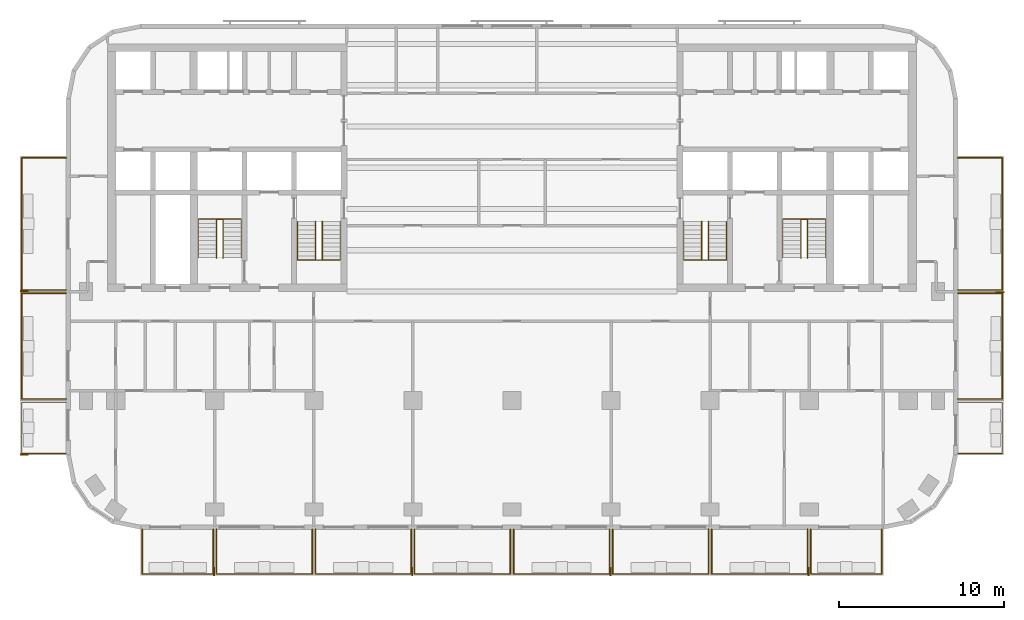
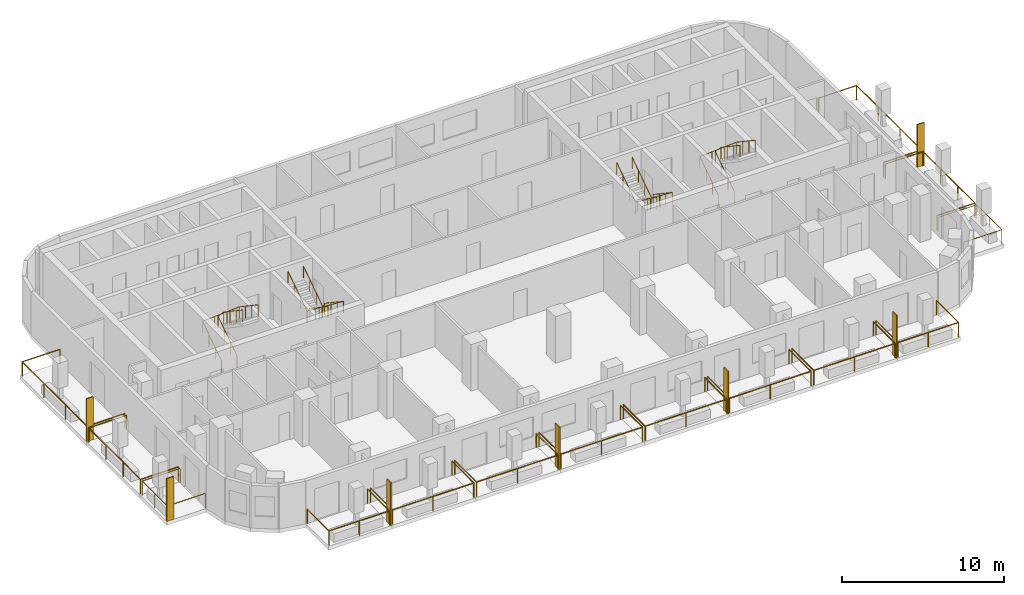
# One storey, part 9 of 11: 22 railings, 7 shading devices.
"""IFC4 building model written with IfcOpenShell, lengths in metres."""

from ifc_helpers import new_model, si_unit, direction, frame, origin, origin_2d, place, context, subcontext, project, spatial, rectangle, circle, extrude, material, layer, layer_set, type_object, element, save


model = new_model("IFC4")

# Units and contexts
model_context = context("Model", 3, precision=1e-05, world=origin(), true_north=direction((0.0, 1.0)))
body_context = subcontext(model_context, "Body", "Model", "MODEL_VIEW")
ifc_project = project(units=[si_unit("LENGTHUNIT", "METRE"), si_unit("AREAUNIT", "SQUARE_METRE"), si_unit("VOLUMEUNIT", "CUBIC_METRE"), si_unit("PLANEANGLEUNIT", "RADIAN"), si_unit("MASSUNIT", "GRAM", prefix="KILO")], contexts=[model_context])

# Site, building, storey
site_placement = place(None, origin())
site = spatial("IfcSite", under=ifc_project, at=site_placement, CompositionType="ELEMENT")
building_placement = place(site_placement, origin())
building = spatial("IfcBuilding", under=site, at=building_placement, Name="Torana Hotel and Residences", CompositionType="ELEMENT")
storey_placement = place(building_placement, frame((0.0, 0.0, 215.10009765625)))
storey = spatial("IfcBuildingStorey", under=building, at=storey_placement, Name="L56", CompositionType="ELEMENT", Elevation=215.10009765625)

# Shading devices
ifc_material_1 = material(Name="Black powder coated aluminium", Category="aluminium")
ifc_layer = layer(ifc_material_1, 0.080078125)
ifc_layer_set = layer_set([ifc_layer], Name="FN1 VERTICAL FIN 500x80")
shading_device_type = type_object("IfcShadingDeviceType", Name="FN1 VERTICAL FIN 500x80", PredefinedType="USERDEFINED", material=ifc_layer_set)
for number, where, z_axis, x_axis, name in (
    (1, (-18.0400390625, -31.949951171875, 0.0), (0.0, 0.0, 1.0), (-1.0, 0.0, 0.0), "Fin 01"),
    (2, (-6.0400390625, -31.949951171875, 0.0), (0.0, 0.0, 1.0), (-1.0, 0.0, 0.0), "Fin 03"),
    (3, (5.9599609375, -31.949951171875, 0.0), (0.0, 0.0, 1.0), (-1.0, 0.0, 0.0), "Fin 05"),
    (4, (17.9599609375, -31.949951171875, 0.0), (0.0, 0.0, 1.0), (-1.0, 0.0, 0.0), "Fin 07"),
    (5, (-29.550048828125, -24.860107421875, 0.0), (0.0, 0.0, 1.0), (0.0, 1.0, 0.0), "Fin 09"),
    (6, (-29.550048828125, -14.9599609375, 0.0), (0.0, 0.0, 1.0), (0.0, 1.0, 0.0), "Fin 11"),
    (7, (29.550048828125, -15.0400390625, 0.0), (0.0, 0.0, 1.0), (0.0, -1.0, 0.0), "Fin 13"),
):
    element("IfcShadingDevice", number, at=place(storey_placement, frame(where, z_axis=z_axis, x_axis=x_axis)), inside=storey, type_object=shading_device_type, Name=name, ObjectType="FIN", PredefinedType="USERDEFINED", context=body_context, shape_type="SweptSolid", body=[
        extrude(rectangle(XDim=0.080078125, YDim=0.5, at=origin_2d()), origin(), (0.0, 0.0, 1.0), 3.219970703125),
    ])

# Railings
ifc_material_2 = material(Name="Laminated glass balustrade with black handrail", Category="glass")
railing_type_1 = type_object("IfcRailingType", Name="GR1 BALCONY GUARD 1100 GLASS", PredefinedType="GUARDRAIL", material=ifc_material_2)
railing_1_placement = place(storey_placement, frame((-18.10009765625, -29.39990234375, 0.0)))
element("IfcRailing", 8, at=railing_1_placement, inside=storey, type_object=railing_type_1, Name="Balcony guard 01", PredefinedType="GUARDRAIL", context=body_context, shape_type="SweptSolid", body=[
    extrude(circle(Radius=0.02392578125, at=origin_2d()), frame((0.0, 0.0, 1.076171875), z_axis=(0.0, -1.0, 0.0), x_axis=(1.0, 0.0, 0.0)), (0.0, 0.0, 1.0), 2.7001953125),
    extrude(circle(Radius=0.02392578125, at=origin_2d()), frame((0.0, -2.7001953125, 1.076171875), z_axis=(-1.0, 0.0, 0.0), x_axis=(0.0, -1.0, 0.0)), (0.0, 0.0, 1.0), 4.2998046875),
    extrude(circle(Radius=0.02392578125, at=origin_2d()), frame((-4.2998046875, -2.7001953125, 1.076171875), z_axis=(0.0, 1.0, 0.0), x_axis=(-1.0, 0.0, 0.0)), (0.0, 0.0, 1.0), 2.7001953125),
    extrude(circle(Radius=0.02099609375, at=origin_2d()), origin(), (0.0, 0.0, 1.0), 1.052001953125),
    extrude(circle(Radius=0.02099609375, at=origin_2d()), frame((0.0, -2.7001953125, 0.0)), (0.0, 0.0, 1.0), 1.052001953125),
    extrude(circle(Radius=0.02099609375, at=origin_2d()), frame((-2.14990234375, -2.7001953125, 0.0)), (0.0, 0.0, 1.0), 1.052001953125),
    extrude(circle(Radius=0.02099609375, at=origin_2d()), frame((-4.2998046875, -2.7001953125, 0.0)), (0.0, 0.0, 1.0), 1.052001953125),
    extrude(circle(Radius=0.02099609375, at=origin_2d()), frame((-4.2998046875, 0.0, 0.0)), (0.0, 0.0, 1.0), 1.052001953125),
])
for number, where, name in (
    (9, (-12.10009765625, -29.39990234375, 0.0), "Balcony guard 02"),
    (10, (-6.10009765625, -29.39990234375, 0.0), "Balcony guard 03"),
    (11, (-0.10009765625, -29.39990234375, 0.0), "Balcony guard 04"),
    (12, (5.89990234375, -29.39990234375, 0.0), "Balcony guard 05"),
    (13, (11.89990234375, -29.39990234375, 0.0), "Balcony guard 06"),
    (14, (17.89990234375, -29.39990234375, 0.0), "Balcony guard 07"),
):
    element("IfcRailing", number, at=place(storey_placement, frame(where)), inside=storey, type_object=railing_type_1, Name=name, PredefinedType="GUARDRAIL", context=body_context, shape_type="SweptSolid", body=[
        extrude(circle(Radius=0.02392578125, at=origin_2d()), frame((0.0, 0.0, 1.076171875), z_axis=(0.0, -1.0, 0.0), x_axis=(1.0, 0.0, 0.0)), (0.0, 0.0, 1.0), 2.7001953125),
        extrude(circle(Radius=0.02392578125, at=origin_2d()), frame((0.0, -2.7001953125, 1.076171875), z_axis=(-1.0, 0.0, 0.0), x_axis=(0.0, -1.0, 0.0)), (0.0, 0.0, 1.0), 5.7998046875),
        extrude(circle(Radius=0.02392578125, at=origin_2d()), frame((-5.7998046875, -2.7001953125, 1.076171875), z_axis=(0.0, 1.0, 0.0), x_axis=(-1.0, 0.0, 0.0)), (0.0, 0.0, 1.0), 2.7001953125),
        extrude(circle(Radius=0.02099609375, at=origin_2d()), origin(), (0.0, 0.0, 1.0), 1.052001953125),
        extrude(circle(Radius=0.02099609375, at=origin_2d()), frame((0.0, -2.7001953125, 0.0)), (0.0, 0.0, 1.0), 1.052001953125),
        extrude(circle(Radius=0.02099609375, at=origin_2d()), frame((-2.89990234375, -2.7001953125, 0.0)), (0.0, 0.0, 1.0), 1.052001953125),
        extrude(circle(Radius=0.02099609375, at=origin_2d()), frame((-5.7998046875, -2.7001953125, 0.0)), (0.0, 0.0, 1.0), 1.052001953125),
        extrude(circle(Radius=0.02099609375, at=origin_2d()), frame((-5.7998046875, 0.0, 0.0)), (0.0, 0.0, 1.0), 1.052001953125),
    ])
railing_2_placement = place(storey_placement, frame((22.39990234375, -29.39990234375, 0.0)))
element("IfcRailing", 15, at=railing_2_placement, inside=storey, type_object=railing_type_1, Name="Balcony guard 08", PredefinedType="GUARDRAIL", context=body_context, shape_type="SweptSolid", body=[
    extrude(circle(Radius=0.02392578125, at=origin_2d()), frame((0.0, 0.0, 1.076171875), z_axis=(0.0, -1.0, 0.0), x_axis=(1.0, 0.0, 0.0)), (0.0, 0.0, 1.0), 2.7001953125),
    extrude(circle(Radius=0.02392578125, at=origin_2d()), frame((0.0, -2.7001953125, 1.076171875), z_axis=(-1.0, 0.0, 0.0), x_axis=(0.0, -1.0, 0.0)), (0.0, 0.0, 1.0), 4.2998046875),
    extrude(circle(Radius=0.02392578125, at=origin_2d()), frame((-4.2998046875, -2.7001953125, 1.076171875), z_axis=(0.0, 1.0, 0.0), x_axis=(-1.0, 0.0, 0.0)), (0.0, 0.0, 1.0), 2.7001953125),
    extrude(circle(Radius=0.02099609375, at=origin_2d()), origin(), (0.0, 0.0, 1.0), 1.052001953125),
    extrude(circle(Radius=0.02099609375, at=origin_2d()), frame((0.0, -2.7001953125, 0.0)), (0.0, 0.0, 1.0), 1.052001953125),
    extrude(circle(Radius=0.02099609375, at=origin_2d()), frame((-2.14990234375, -2.7001953125, 0.0)), (0.0, 0.0, 1.0), 1.052001953125),
    extrude(circle(Radius=0.02099609375, at=origin_2d()), frame((-4.2998046875, -2.7001953125, 0.0)), (0.0, 0.0, 1.0), 1.052001953125),
    extrude(circle(Radius=0.02099609375, at=origin_2d()), frame((-4.2998046875, 0.0, 0.0)), (0.0, 0.0, 1.0), 1.052001953125),
])
railing_3_placement = place(storey_placement, frame((-27.0, -24.800048828125, 0.0)))
element("IfcRailing", 16, at=railing_3_placement, inside=storey, type_object=railing_type_1, Name="Balcony guard 09", PredefinedType="GUARDRAIL", context=body_context, shape_type="SweptSolid", body=[
    extrude(circle(Radius=0.02392578125, at=origin_2d()), frame((0.0, 0.0, 1.076171875), z_axis=(-1.0, 0.0, 0.0), x_axis=(0.0, -1.0, 0.0)), (0.0, 0.0, 1.0), 2.699951171875),
    extrude(circle(Radius=0.02392578125, at=origin_2d()), frame((-2.699951171875, 0.0, 1.076171875), z_axis=(0.0, 1.0, 0.0), x_axis=(-1.0, 0.0, 0.0)), (0.0, 0.0, 1.0), 3.10009765625),
    extrude(circle(Radius=0.02392578125, at=origin_2d()), frame((-2.699951171875, 3.10009765625, 1.076171875), z_axis=(1.0, 0.0, 0.0), x_axis=(0.0, 1.0, 0.0)), (0.0, 0.0, 1.0), 2.699951171875),
    extrude(circle(Radius=0.02099609375, at=origin_2d()), origin(), (0.0, 0.0, 1.0), 1.052001953125),
    extrude(circle(Radius=0.02099609375, at=origin_2d()), frame((-2.699951171875, 0.0, 0.0)), (0.0, 0.0, 1.0), 1.052001953125),
    extrude(circle(Radius=0.02099609375, at=origin_2d()), frame((-2.699951171875, 1.550048828125, 0.0)), (0.0, 0.0, 1.0), 1.052001953125),
    extrude(circle(Radius=0.02099609375, at=origin_2d()), frame((-2.699951171875, 3.10009765625, 0.0)), (0.0, 0.0, 1.0), 1.052001953125),
    extrude(circle(Radius=0.02099609375, at=origin_2d()), frame((0.0, 3.10009765625, 0.0)), (0.0, 0.0, 1.0), 1.052001953125),
])
railing_4_placement = place(storey_placement, frame((-27.0, -21.5, 0.0)))
element("IfcRailing", 17, at=railing_4_placement, inside=storey, type_object=railing_type_1, Name="Balcony guard 10", PredefinedType="GUARDRAIL", context=body_context, shape_type="SweptSolid", body=[
    extrude(circle(Radius=0.02392578125, at=origin_2d()), frame((0.0, 0.0, 1.076171875), z_axis=(-1.0, 0.0, 0.0), x_axis=(0.0, -1.0, 0.0)), (0.0, 0.0, 1.0), 2.699951171875),
    extrude(circle(Radius=0.02392578125, at=origin_2d()), frame((-2.699951171875, 0.0, 1.076171875), z_axis=(0.0, 1.0, 0.0), x_axis=(-1.0, 0.0, 0.0)), (0.0, 0.0, 1.0), 6.39990234375),
    extrude(circle(Radius=0.02392578125, at=origin_2d()), frame((-2.699951171875, 6.39990234375, 1.076171875), z_axis=(1.0, 0.0, 0.0), x_axis=(0.0, 1.0, 0.0)), (0.0, 0.0, 1.0), 2.699951171875),
    extrude(circle(Radius=0.02099609375, at=origin_2d()), origin(), (0.0, 0.0, 1.0), 1.052001953125),
    extrude(circle(Radius=0.02099609375, at=origin_2d()), frame((-2.699951171875, 0.0, 0.0)), (0.0, 0.0, 1.0), 1.052001953125),
    extrude(circle(Radius=0.02099609375, at=origin_2d()), frame((-2.699951171875, 2.13330078125, 0.0)), (0.0, 0.0, 1.0), 1.052001953125),
    extrude(circle(Radius=0.02099609375, at=origin_2d()), frame((-2.699951171875, 4.2666015625, 0.0)), (0.0, 0.0, 1.0), 1.052001953125),
    extrude(circle(Radius=0.02099609375, at=origin_2d()), frame((-2.699951171875, 6.39990234375, 0.0)), (0.0, 0.0, 1.0), 1.052001953125),
    extrude(circle(Radius=0.02099609375, at=origin_2d()), frame((0.0, 6.39990234375, 0.0)), (0.0, 0.0, 1.0), 1.052001953125),
])
railing_5_placement = place(storey_placement, frame((-27.0, -14.89990234375, 0.0)))
element("IfcRailing", 18, at=railing_5_placement, inside=storey, type_object=railing_type_1, Name="Balcony guard 11", PredefinedType="GUARDRAIL", context=body_context, shape_type="SweptSolid", body=[
    extrude(circle(Radius=0.02392578125, at=origin_2d()), frame((0.0, 0.0, 1.076171875), z_axis=(-1.0, 0.0, 0.0), x_axis=(0.0, -1.0, 0.0)), (0.0, 0.0, 1.0), 2.699951171875),
    extrude(circle(Radius=0.02392578125, at=origin_2d()), frame((-2.699951171875, 0.0, 1.076171875), z_axis=(0.0, 1.0, 0.0), x_axis=(-1.0, 0.0, 0.0)), (0.0, 0.0, 1.0), 8.0),
    extrude(circle(Radius=0.02392578125, at=origin_2d()), frame((-2.699951171875, 8.0, 1.076171875), z_axis=(1.0, 0.0, 0.0), x_axis=(0.0, 1.0, 0.0)), (0.0, 0.0, 1.0), 2.699951171875),
    extrude(circle(Radius=0.02099609375, at=origin_2d()), origin(), (0.0, 0.0, 1.0), 1.052001953125),
    extrude(circle(Radius=0.02099609375, at=origin_2d()), frame((-2.699951171875, 0.0, 0.0)), (0.0, 0.0, 1.0), 1.052001953125),
    extrude(circle(Radius=0.02099609375, at=origin_2d()), frame((-2.699951171875, 2.666748046875, 0.0)), (0.0, 0.0, 1.0), 1.052001953125),
    extrude(circle(Radius=0.02099609375, at=origin_2d()), frame((-2.699951171875, 5.333251953125, 0.0)), (0.0, 0.0, 1.0), 1.052001953125),
    extrude(circle(Radius=0.02099609375, at=origin_2d()), frame((-2.699951171875, 8.0, 0.0)), (0.0, 0.0, 1.0), 1.052001953125),
    extrude(circle(Radius=0.02099609375, at=origin_2d()), frame((0.0, 8.0, 0.0)), (0.0, 0.0, 1.0), 1.052001953125),
])
railing_6_placement = place(storey_placement, frame((27.0, -21.699951171875, 0.0)))
element("IfcRailing", 19, at=railing_6_placement, inside=storey, type_object=railing_type_1, Name="Balcony guard 12", PredefinedType="GUARDRAIL", context=body_context, shape_type="SweptSolid", body=[
    extrude(circle(Radius=0.02392578125, at=origin_2d()), frame((0.0, 0.0, 1.076171875), z_axis=(1.0, 0.0, 0.0), x_axis=(0.0, 1.0, 0.0)), (0.0, 0.0, 1.0), 2.699951171875),
    extrude(circle(Radius=0.02392578125, at=origin_2d()), frame((2.699951171875, 0.0, 1.076171875), z_axis=(0.0, -1.0, 0.0), x_axis=(1.0, 0.0, 0.0)), (0.0, 0.0, 1.0), 3.10009765625),
    extrude(circle(Radius=0.02392578125, at=origin_2d()), frame((2.699951171875, -3.10009765625, 1.076171875), z_axis=(-1.0, 0.0, 0.0), x_axis=(0.0, -1.0, 0.0)), (0.0, 0.0, 1.0), 2.699951171875),
    extrude(circle(Radius=0.02099609375, at=origin_2d()), origin(), (0.0, 0.0, 1.0), 1.052001953125),
    extrude(circle(Radius=0.02099609375, at=origin_2d()), frame((2.699951171875, 0.0, 0.0)), (0.0, 0.0, 1.0), 1.052001953125),
    extrude(circle(Radius=0.02099609375, at=origin_2d()), frame((2.699951171875, -1.550048828125, 0.0)), (0.0, 0.0, 1.0), 1.052001953125),
    extrude(circle(Radius=0.02099609375, at=origin_2d()), frame((2.699951171875, -3.10009765625, 0.0)), (0.0, 0.0, 1.0), 1.052001953125),
    extrude(circle(Radius=0.02099609375, at=origin_2d()), frame((0.0, -3.10009765625, 0.0)), (0.0, 0.0, 1.0), 1.052001953125),
])
railing_7_placement = place(storey_placement, frame((27.0, -15.10009765625, 0.0)))
element("IfcRailing", 20, at=railing_7_placement, inside=storey, type_object=railing_type_1, Name="Balcony guard 13", PredefinedType="GUARDRAIL", context=body_context, shape_type="SweptSolid", body=[
    extrude(circle(Radius=0.02392578125, at=origin_2d()), frame((0.0, 0.0, 1.076171875), z_axis=(1.0, 0.0, 0.0), x_axis=(0.0, 1.0, 0.0)), (0.0, 0.0, 1.0), 2.699951171875),
    extrude(circle(Radius=0.02392578125, at=origin_2d()), frame((2.699951171875, 0.0, 1.076171875), z_axis=(0.0, -1.0, 0.0), x_axis=(1.0, 0.0, 0.0)), (0.0, 0.0, 1.0), 6.39990234375),
    extrude(circle(Radius=0.02392578125, at=origin_2d()), frame((2.699951171875, -6.39990234375, 1.076171875), z_axis=(-1.0, 0.0, 0.0), x_axis=(0.0, -1.0, 0.0)), (0.0, 0.0, 1.0), 2.699951171875),
    extrude(circle(Radius=0.02099609375, at=origin_2d()), origin(), (0.0, 0.0, 1.0), 1.052001953125),
    extrude(circle(Radius=0.02099609375, at=origin_2d()), frame((2.699951171875, 0.0, 0.0)), (0.0, 0.0, 1.0), 1.052001953125),
    extrude(circle(Radius=0.02099609375, at=origin_2d()), frame((2.699951171875, -2.13330078125, 0.0)), (0.0, 0.0, 1.0), 1.052001953125),
    extrude(circle(Radius=0.02099609375, at=origin_2d()), frame((2.699951171875, -4.2666015625, 0.0)), (0.0, 0.0, 1.0), 1.052001953125),
    extrude(circle(Radius=0.02099609375, at=origin_2d()), frame((2.699951171875, -6.39990234375, 0.0)), (0.0, 0.0, 1.0), 1.052001953125),
    extrude(circle(Radius=0.02099609375, at=origin_2d()), frame((0.0, -6.39990234375, 0.0)), (0.0, 0.0, 1.0), 1.052001953125),
])
railing_8_placement = place(storey_placement, frame((27.0, -6.89990234375, 0.0)))
element("IfcRailing", 21, at=railing_8_placement, inside=storey, type_object=railing_type_1, Name="Balcony guard 14", PredefinedType="GUARDRAIL", context=body_context, shape_type="SweptSolid", body=[
    extrude(circle(Radius=0.02392578125, at=origin_2d()), frame((0.0, 0.0, 1.076171875), z_axis=(1.0, 0.0, 0.0), x_axis=(0.0, 1.0, 0.0)), (0.0, 0.0, 1.0), 2.699951171875),
    extrude(circle(Radius=0.02392578125, at=origin_2d()), frame((2.699951171875, 0.0, 1.076171875), z_axis=(0.0, -1.0, 0.0), x_axis=(1.0, 0.0, 0.0)), (0.0, 0.0, 1.0), 8.0),
    extrude(circle(Radius=0.02392578125, at=origin_2d()), frame((2.699951171875, -8.0, 1.076171875), z_axis=(-1.0, 0.0, 0.0), x_axis=(0.0, -1.0, 0.0)), (0.0, 0.0, 1.0), 2.699951171875),
    extrude(circle(Radius=0.02099609375, at=origin_2d()), origin(), (0.0, 0.0, 1.0), 1.052001953125),
    extrude(circle(Radius=0.02099609375, at=origin_2d()), frame((2.699951171875, 0.0, 0.0)), (0.0, 0.0, 1.0), 1.052001953125),
    extrude(circle(Radius=0.02099609375, at=origin_2d()), frame((2.699951171875, -2.666748046875, 0.0)), (0.0, 0.0, 1.0), 1.052001953125),
    extrude(circle(Radius=0.02099609375, at=origin_2d()), frame((2.699951171875, -5.333251953125, 0.0)), (0.0, 0.0, 1.0), 1.052001953125),
    extrude(circle(Radius=0.02099609375, at=origin_2d()), frame((2.699951171875, -8.0, 0.0)), (0.0, 0.0, 1.0), 1.052001953125),
    extrude(circle(Radius=0.02099609375, at=origin_2d()), frame((0.0, -8.0, 0.0)), (0.0, 0.0, 1.0), 1.052001953125),
])
ifc_material_3 = material(Name="Stainless steel 316", Category="steel")
railing_type_2 = type_object("IfcRailingType", Name="STAIR HANDRAIL HR1 900", PredefinedType="HANDRAIL", material=ifc_material_3)
railing_9_placement = place(storey_placement, frame((-10.39990234375, -10.75, 0.1748046875)))
element("IfcRailing", 22, at=railing_9_placement, inside=storey, type_object=railing_type_2, Name="Handrail ST1 L56 O1", PredefinedType="HANDRAIL", context=body_context, shape_type="SweptSolid", body=[
    extrude(circle(Radius=0.02392578125, at=origin_2d()), frame((0.0, 0.0, 0.8759765625), z_axis=(0.0, -0.829565388462, 0.558409586474), x_axis=(1.0, 0.0, 0.0)), (0.0, 0.0, 1.0), 2.82080078125),
    extrude(circle(Radius=0.02392578125, at=origin_2d()), frame((0.0, -2.340087890625, 2.451171875), z_axis=(-0.997747692642, 0.0, 0.067078624219), x_axis=(0.0, -1.0, 0.0)), (0.0, 0.0, 1.0), 2.60595703125),
    extrude(circle(Radius=0.02392578125, at=origin_2d()), frame((-2.60009765625, -2.340087890625, 2.6259765625), z_axis=(0.0, 0.829565388462, 0.558409586474), x_axis=(-1.0, 0.0, 0.0)), (0.0, 0.0, 1.0), 2.82080078125),
    extrude(circle(Radius=0.02099609375, at=origin_2d()), origin(), (0.0, 0.0, 1.0), 0.851806640625),
    extrude(circle(Radius=0.02099609375, at=origin_2d()), frame((0.0, -0.780029296875, 0.525146484375)), (0.0, 0.0, 1.0), 0.851806640625),
    extrude(circle(Radius=0.02099609375, at=origin_2d()), frame((0.0, -1.56005859375, 1.050048828125)), (0.0, 0.0, 1.0), 0.851806640625),
    extrude(circle(Radius=0.02099609375, at=origin_2d()), frame((0.0, -2.340087890625, 1.5751953125)), (0.0, 0.0, 1.0), 0.851806640625),
    extrude(circle(Radius=0.02099609375, at=origin_2d()), frame((-0.86669921875, -2.340087890625, 1.633544921875)), (0.0, 0.0, 1.0), 0.851806640625),
    extrude(circle(Radius=0.02099609375, at=origin_2d()), frame((-1.7333984375, -2.340087890625, 1.691650390625)), (0.0, 0.0, 1.0), 0.851806640625),
    extrude(circle(Radius=0.02099609375, at=origin_2d()), frame((-2.60009765625, -2.340087890625, 1.75)), (0.0, 0.0, 1.0), 0.851806640625),
    extrude(circle(Radius=0.02099609375, at=origin_2d()), frame((-2.60009765625, -1.56005859375, 2.275146484375)), (0.0, 0.0, 1.0), 0.851806640625),
    extrude(circle(Radius=0.02099609375, at=origin_2d()), frame((-2.60009765625, -0.780029296875, 2.800048828125)), (0.0, 0.0, 1.0), 0.851806640625),
    extrude(circle(Radius=0.02099609375, at=origin_2d()), frame((-2.60009765625, 0.0, 3.3251953125)), (0.0, 0.0, 1.0), 0.851806640625),
])
railing_10_placement = place(storey_placement, frame((-11.5, -10.75, 0.1748046875)))
element("IfcRailing", 23, at=railing_10_placement, inside=storey, type_object=railing_type_2, Name="Handrail ST1 L56 I1", PredefinedType="HANDRAIL", context=body_context, shape_type="SweptSolid", body=[
    extrude(circle(Radius=0.02392578125, at=origin_2d()), frame((0.0, 0.0, 0.8759765625), z_axis=(0.0, -0.829565388462, 0.558409586474), x_axis=(1.0, 0.0, 0.0)), (0.0, 0.0, 1.0), 2.82080078125),
    extrude(circle(Radius=0.02392578125, at=origin_2d()), frame((0.0, -2.340087890625, 2.451171875), z_axis=(-0.916285673175, 0.0, 0.400525361412), x_axis=(0.0, -1.0, 0.0)), (0.0, 0.0, 1.0), 0.4365234375),
    extrude(circle(Radius=0.02392578125, at=origin_2d()), frame((-0.39990234375, -2.340087890625, 2.6259765625), z_axis=(0.0, 0.829565388462, 0.558409586474), x_axis=(-1.0, 0.0, 0.0)), (0.0, 0.0, 1.0), 2.82080078125),
    extrude(circle(Radius=0.02099609375, at=origin_2d()), origin(), (0.0, 0.0, 1.0), 0.851806640625),
    extrude(circle(Radius=0.02099609375, at=origin_2d()), frame((0.0, -0.780029296875, 0.525146484375)), (0.0, 0.0, 1.0), 0.851806640625),
    extrude(circle(Radius=0.02099609375, at=origin_2d()), frame((0.0, -1.56005859375, 1.050048828125)), (0.0, 0.0, 1.0), 0.851806640625),
    extrude(circle(Radius=0.02099609375, at=origin_2d()), frame((0.0, -2.340087890625, 1.5751953125)), (0.0, 0.0, 1.0), 0.851806640625),
    extrude(circle(Radius=0.02099609375, at=origin_2d()), frame((-0.39990234375, -2.340087890625, 1.75)), (0.0, 0.0, 1.0), 0.851806640625),
    extrude(circle(Radius=0.02099609375, at=origin_2d()), frame((-0.39990234375, -1.56005859375, 2.275146484375)), (0.0, 0.0, 1.0), 0.851806640625),
    extrude(circle(Radius=0.02099609375, at=origin_2d()), frame((-0.39990234375, -0.780029296875, 2.800048828125)), (0.0, 0.0, 1.0), 0.851806640625),
    extrude(circle(Radius=0.02099609375, at=origin_2d()), frame((-0.39990234375, 0.0, 3.3251953125)), (0.0, 0.0, 1.0), 0.851806640625),
])
railing_11_placement = place(storey_placement, frame((-19.0, -12.949951171875, 0.1748046875)))
element("IfcRailing", 24, at=railing_11_placement, inside=storey, type_object=railing_type_2, Name="Handrail ST2 L56 O1", PredefinedType="HANDRAIL", context=body_context, shape_type="SweptSolid", body=[
    extrude(circle(Radius=0.02392578125, at=origin_2d()), frame((0.0, 0.0, 0.8759765625), z_axis=(0.0, 0.829538397957, 0.558449681095), x_axis=(-1.0, 0.0, 0.0)), (0.0, 0.0, 1.0), 2.820556640625),
    extrude(circle(Radius=0.02392578125, at=origin_2d()), frame((0.0, 2.33984375, 2.451171875), z_axis=(0.997747692642, 0.0, 0.067078624219), x_axis=(0.0, 1.0, 0.0)), (0.0, 0.0, 1.0), 2.60595703125),
    extrude(circle(Radius=0.02392578125, at=origin_2d()), frame((2.60009765625, 2.33984375, 2.6259765625), z_axis=(0.0, -0.829538397957, 0.558449681095), x_axis=(1.0, 0.0, 0.0)), (0.0, 0.0, 1.0), 2.820556640625),
    extrude(circle(Radius=0.02099609375, at=origin_2d()), origin(), (0.0, 0.0, 1.0), 0.851806640625),
    extrude(circle(Radius=0.02099609375, at=origin_2d()), frame((0.0, 0.780029296875, 0.525146484375)), (0.0, 0.0, 1.0), 0.851806640625),
    extrude(circle(Radius=0.02099609375, at=origin_2d()), frame((0.0, 1.559814453125, 1.050048828125)), (0.0, 0.0, 1.0), 0.851806640625),
    extrude(circle(Radius=0.02099609375, at=origin_2d()), frame((0.0, 2.33984375, 1.5751953125)), (0.0, 0.0, 1.0), 0.851806640625),
    extrude(circle(Radius=0.02099609375, at=origin_2d()), frame((0.86669921875, 2.33984375, 1.633544921875)), (0.0, 0.0, 1.0), 0.851806640625),
    extrude(circle(Radius=0.02099609375, at=origin_2d()), frame((1.7333984375, 2.33984375, 1.691650390625)), (0.0, 0.0, 1.0), 0.851806640625),
    extrude(circle(Radius=0.02099609375, at=origin_2d()), frame((2.60009765625, 2.33984375, 1.75)), (0.0, 0.0, 1.0), 0.851806640625),
    extrude(circle(Radius=0.02099609375, at=origin_2d()), frame((2.60009765625, 1.559814453125, 2.275146484375)), (0.0, 0.0, 1.0), 0.851806640625),
    extrude(circle(Radius=0.02099609375, at=origin_2d()), frame((2.60009765625, 0.780029296875, 2.800048828125)), (0.0, 0.0, 1.0), 0.851806640625),
    extrude(circle(Radius=0.02099609375, at=origin_2d()), frame((2.60009765625, 0.0, 3.3251953125)), (0.0, 0.0, 1.0), 0.851806640625),
])
railing_12_placement = place(storey_placement, frame((-17.89990234375, -12.949951171875, 0.1748046875)))
element("IfcRailing", 25, at=railing_12_placement, inside=storey, type_object=railing_type_2, Name="Handrail ST2 L56 I1", PredefinedType="HANDRAIL", context=body_context, shape_type="SweptSolid", body=[
    extrude(circle(Radius=0.02392578125, at=origin_2d()), frame((0.0, 0.0, 0.8759765625), z_axis=(0.0, 0.829538397957, 0.558449681095), x_axis=(-1.0, 0.0, 0.0)), (0.0, 0.0, 1.0), 2.820556640625),
    extrude(circle(Radius=0.02392578125, at=origin_2d()), frame((0.0, 2.33984375, 2.451171875), z_axis=(0.916285673175, 0.0, 0.400525361412), x_axis=(0.0, 1.0, 0.0)), (0.0, 0.0, 1.0), 0.4365234375),
    extrude(circle(Radius=0.02392578125, at=origin_2d()), frame((0.39990234375, 2.33984375, 2.6259765625), z_axis=(0.0, -0.829538397957, 0.558449681095), x_axis=(1.0, 0.0, 0.0)), (0.0, 0.0, 1.0), 2.820556640625),
    extrude(circle(Radius=0.02099609375, at=origin_2d()), origin(), (0.0, 0.0, 1.0), 0.851806640625),
    extrude(circle(Radius=0.02099609375, at=origin_2d()), frame((0.0, 0.780029296875, 0.525146484375)), (0.0, 0.0, 1.0), 0.851806640625),
    extrude(circle(Radius=0.02099609375, at=origin_2d()), frame((0.0, 1.559814453125, 1.050048828125)), (0.0, 0.0, 1.0), 0.851806640625),
    extrude(circle(Radius=0.02099609375, at=origin_2d()), frame((0.0, 2.33984375, 1.5751953125)), (0.0, 0.0, 1.0), 0.851806640625),
    extrude(circle(Radius=0.02099609375, at=origin_2d()), frame((0.39990234375, 2.33984375, 1.75)), (0.0, 0.0, 1.0), 0.851806640625),
    extrude(circle(Radius=0.02099609375, at=origin_2d()), frame((0.39990234375, 1.559814453125, 2.275146484375)), (0.0, 0.0, 1.0), 0.851806640625),
    extrude(circle(Radius=0.02099609375, at=origin_2d()), frame((0.39990234375, 0.780029296875, 2.800048828125)), (0.0, 0.0, 1.0), 0.851806640625),
    extrude(circle(Radius=0.02099609375, at=origin_2d()), frame((0.39990234375, 0.0, 3.3251953125)), (0.0, 0.0, 1.0), 0.851806640625),
])
railing_13_placement = place(storey_placement, frame((13.0, -10.75, 0.1748046875)))
element("IfcRailing", 26, at=railing_13_placement, inside=storey, type_object=railing_type_2, Name="Handrail ST3 L56 O1", PredefinedType="HANDRAIL", context=body_context, shape_type="SweptSolid", body=[
    extrude(circle(Radius=0.02392578125, at=origin_2d()), frame((0.0, 0.0, 0.8759765625), z_axis=(0.0, -0.829565388462, 0.558409586474), x_axis=(1.0, 0.0, 0.0)), (0.0, 0.0, 1.0), 2.82080078125),
    extrude(circle(Radius=0.02392578125, at=origin_2d()), frame((0.0, -2.340087890625, 2.451171875), z_axis=(-0.997747692642, 0.0, 0.067078624219), x_axis=(0.0, -1.0, 0.0)), (0.0, 0.0, 1.0), 2.60595703125),
    extrude(circle(Radius=0.02392578125, at=origin_2d()), frame((-2.60009765625, -2.340087890625, 2.6259765625), z_axis=(0.0, 0.829565388462, 0.558409586474), x_axis=(-1.0, 0.0, 0.0)), (0.0, 0.0, 1.0), 2.82080078125),
    extrude(circle(Radius=0.02099609375, at=origin_2d()), origin(), (0.0, 0.0, 1.0), 0.851806640625),
    extrude(circle(Radius=0.02099609375, at=origin_2d()), frame((0.0, -0.780029296875, 0.525146484375)), (0.0, 0.0, 1.0), 0.851806640625),
    extrude(circle(Radius=0.02099609375, at=origin_2d()), frame((0.0, -1.56005859375, 1.050048828125)), (0.0, 0.0, 1.0), 0.851806640625),
    extrude(circle(Radius=0.02099609375, at=origin_2d()), frame((0.0, -2.340087890625, 1.5751953125)), (0.0, 0.0, 1.0), 0.851806640625),
    extrude(circle(Radius=0.02099609375, at=origin_2d()), frame((-0.86669921875, -2.340087890625, 1.633544921875)), (0.0, 0.0, 1.0), 0.851806640625),
    extrude(circle(Radius=0.02099609375, at=origin_2d()), frame((-1.7333984375, -2.340087890625, 1.691650390625)), (0.0, 0.0, 1.0), 0.851806640625),
    extrude(circle(Radius=0.02099609375, at=origin_2d()), frame((-2.60009765625, -2.340087890625, 1.75)), (0.0, 0.0, 1.0), 0.851806640625),
    extrude(circle(Radius=0.02099609375, at=origin_2d()), frame((-2.60009765625, -1.56005859375, 2.275146484375)), (0.0, 0.0, 1.0), 0.851806640625),
    extrude(circle(Radius=0.02099609375, at=origin_2d()), frame((-2.60009765625, -0.780029296875, 2.800048828125)), (0.0, 0.0, 1.0), 0.851806640625),
    extrude(circle(Radius=0.02099609375, at=origin_2d()), frame((-2.60009765625, 0.0, 3.3251953125)), (0.0, 0.0, 1.0), 0.851806640625),
])
railing_14_placement = place(storey_placement, frame((11.89990234375, -10.75, 0.1748046875)))
element("IfcRailing", 27, at=railing_14_placement, inside=storey, type_object=railing_type_2, Name="Handrail ST3 L56 I1", PredefinedType="HANDRAIL", context=body_context, shape_type="SweptSolid", body=[
    extrude(circle(Radius=0.02392578125, at=origin_2d()), frame((0.0, 0.0, 0.8759765625), z_axis=(0.0, -0.829565388462, 0.558409586474), x_axis=(1.0, 0.0, 0.0)), (0.0, 0.0, 1.0), 2.82080078125),
    extrude(circle(Radius=0.02392578125, at=origin_2d()), frame((0.0, -2.340087890625, 2.451171875), z_axis=(-0.916285673175, 0.0, 0.400525361412), x_axis=(0.0, -1.0, 0.0)), (0.0, 0.0, 1.0), 0.4365234375),
    extrude(circle(Radius=0.02392578125, at=origin_2d()), frame((-0.39990234375, -2.340087890625, 2.6259765625), z_axis=(0.0, 0.829565388462, 0.558409586474), x_axis=(-1.0, 0.0, 0.0)), (0.0, 0.0, 1.0), 2.82080078125),
    extrude(circle(Radius=0.02099609375, at=origin_2d()), origin(), (0.0, 0.0, 1.0), 0.851806640625),
    extrude(circle(Radius=0.02099609375, at=origin_2d()), frame((0.0, -0.780029296875, 0.525146484375)), (0.0, 0.0, 1.0), 0.851806640625),
    extrude(circle(Radius=0.02099609375, at=origin_2d()), frame((0.0, -1.56005859375, 1.050048828125)), (0.0, 0.0, 1.0), 0.851806640625),
    extrude(circle(Radius=0.02099609375, at=origin_2d()), frame((0.0, -2.340087890625, 1.5751953125)), (0.0, 0.0, 1.0), 0.851806640625),
    extrude(circle(Radius=0.02099609375, at=origin_2d()), frame((-0.39990234375, -2.340087890625, 1.75)), (0.0, 0.0, 1.0), 0.851806640625),
    extrude(circle(Radius=0.02099609375, at=origin_2d()), frame((-0.39990234375, -1.56005859375, 2.275146484375)), (0.0, 0.0, 1.0), 0.851806640625),
    extrude(circle(Radius=0.02099609375, at=origin_2d()), frame((-0.39990234375, -0.780029296875, 2.800048828125)), (0.0, 0.0, 1.0), 0.851806640625),
    extrude(circle(Radius=0.02099609375, at=origin_2d()), frame((-0.39990234375, 0.0, 3.3251953125)), (0.0, 0.0, 1.0), 0.851806640625),
])
railing_15_placement = place(storey_placement, frame((16.39990234375, -12.949951171875, 0.1748046875)))
element("IfcRailing", 28, at=railing_15_placement, inside=storey, type_object=railing_type_2, Name="Handrail ST4 L56 O1", PredefinedType="HANDRAIL", context=body_context, shape_type="SweptSolid", body=[
    extrude(circle(Radius=0.02392578125, at=origin_2d()), frame((0.0, 0.0, 0.8759765625), z_axis=(0.0, 0.829538397957, 0.558449681095), x_axis=(-1.0, 0.0, 0.0)), (0.0, 0.0, 1.0), 2.820556640625),
    extrude(circle(Radius=0.02392578125, at=origin_2d()), frame((0.0, 2.33984375, 2.451171875), z_axis=(0.997747692642, 0.0, 0.067078624219), x_axis=(0.0, 1.0, 0.0)), (0.0, 0.0, 1.0), 2.60595703125),
    extrude(circle(Radius=0.02392578125, at=origin_2d()), frame((2.60009765625, 2.33984375, 2.6259765625), z_axis=(0.0, -0.829538397957, 0.558449681095), x_axis=(1.0, 0.0, 0.0)), (0.0, 0.0, 1.0), 2.820556640625),
    extrude(circle(Radius=0.02099609375, at=origin_2d()), origin(), (0.0, 0.0, 1.0), 0.851806640625),
    extrude(circle(Radius=0.02099609375, at=origin_2d()), frame((0.0, 0.780029296875, 0.525146484375)), (0.0, 0.0, 1.0), 0.851806640625),
    extrude(circle(Radius=0.02099609375, at=origin_2d()), frame((0.0, 1.559814453125, 1.050048828125)), (0.0, 0.0, 1.0), 0.851806640625),
    extrude(circle(Radius=0.02099609375, at=origin_2d()), frame((0.0, 2.33984375, 1.5751953125)), (0.0, 0.0, 1.0), 0.851806640625),
    extrude(circle(Radius=0.02099609375, at=origin_2d()), frame((0.86669921875, 2.33984375, 1.633544921875)), (0.0, 0.0, 1.0), 0.851806640625),
    extrude(circle(Radius=0.02099609375, at=origin_2d()), frame((1.7333984375, 2.33984375, 1.691650390625)), (0.0, 0.0, 1.0), 0.851806640625),
    extrude(circle(Radius=0.02099609375, at=origin_2d()), frame((2.60009765625, 2.33984375, 1.75)), (0.0, 0.0, 1.0), 0.851806640625),
    extrude(circle(Radius=0.02099609375, at=origin_2d()), frame((2.60009765625, 1.559814453125, 2.275146484375)), (0.0, 0.0, 1.0), 0.851806640625),
    extrude(circle(Radius=0.02099609375, at=origin_2d()), frame((2.60009765625, 0.780029296875, 2.800048828125)), (0.0, 0.0, 1.0), 0.851806640625),
    extrude(circle(Radius=0.02099609375, at=origin_2d()), frame((2.60009765625, 0.0, 3.3251953125)), (0.0, 0.0, 1.0), 0.851806640625),
])
railing_16_placement = place(storey_placement, frame((17.5, -12.949951171875, 0.1748046875)))
element("IfcRailing", 29, at=railing_16_placement, inside=storey, type_object=railing_type_2, Name="Handrail ST4 L56 I1", PredefinedType="HANDRAIL", context=body_context, shape_type="SweptSolid", body=[
    extrude(circle(Radius=0.02392578125, at=origin_2d()), frame((0.0, 0.0, 0.8759765625), z_axis=(0.0, 0.829538397957, 0.558449681095), x_axis=(-1.0, 0.0, 0.0)), (0.0, 0.0, 1.0), 2.820556640625),
    extrude(circle(Radius=0.02392578125, at=origin_2d()), frame((0.0, 2.33984375, 2.451171875), z_axis=(0.916285673175, 0.0, 0.400525361412), x_axis=(0.0, 1.0, 0.0)), (0.0, 0.0, 1.0), 0.4365234375),
    extrude(circle(Radius=0.02392578125, at=origin_2d()), frame((0.39990234375, 2.33984375, 2.6259765625), z_axis=(0.0, -0.829538397957, 0.558449681095), x_axis=(1.0, 0.0, 0.0)), (0.0, 0.0, 1.0), 2.820556640625),
    extrude(circle(Radius=0.02099609375, at=origin_2d()), origin(), (0.0, 0.0, 1.0), 0.851806640625),
    extrude(circle(Radius=0.02099609375, at=origin_2d()), frame((0.0, 0.780029296875, 0.525146484375)), (0.0, 0.0, 1.0), 0.851806640625),
    extrude(circle(Radius=0.02099609375, at=origin_2d()), frame((0.0, 1.559814453125, 1.050048828125)), (0.0, 0.0, 1.0), 0.851806640625),
    extrude(circle(Radius=0.02099609375, at=origin_2d()), frame((0.0, 2.33984375, 1.5751953125)), (0.0, 0.0, 1.0), 0.851806640625),
    extrude(circle(Radius=0.02099609375, at=origin_2d()), frame((0.39990234375, 2.33984375, 1.75)), (0.0, 0.0, 1.0), 0.851806640625),
    extrude(circle(Radius=0.02099609375, at=origin_2d()), frame((0.39990234375, 1.559814453125, 2.275146484375)), (0.0, 0.0, 1.0), 0.851806640625),
    extrude(circle(Radius=0.02099609375, at=origin_2d()), frame((0.39990234375, 0.780029296875, 2.800048828125)), (0.0, 0.0, 1.0), 0.851806640625),
    extrude(circle(Radius=0.02099609375, at=origin_2d()), frame((0.39990234375, 0.0, 3.3251953125)), (0.0, 0.0, 1.0), 0.851806640625),
])

save(model, "model.ifc")
